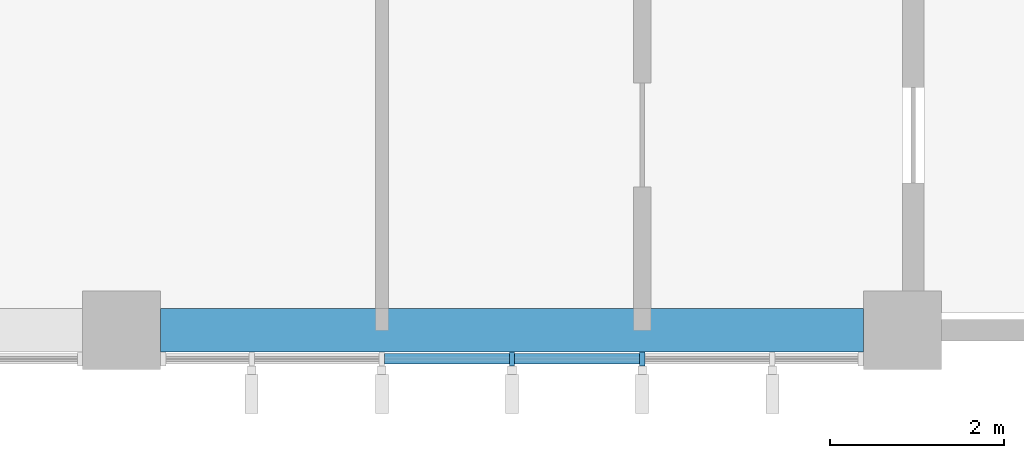
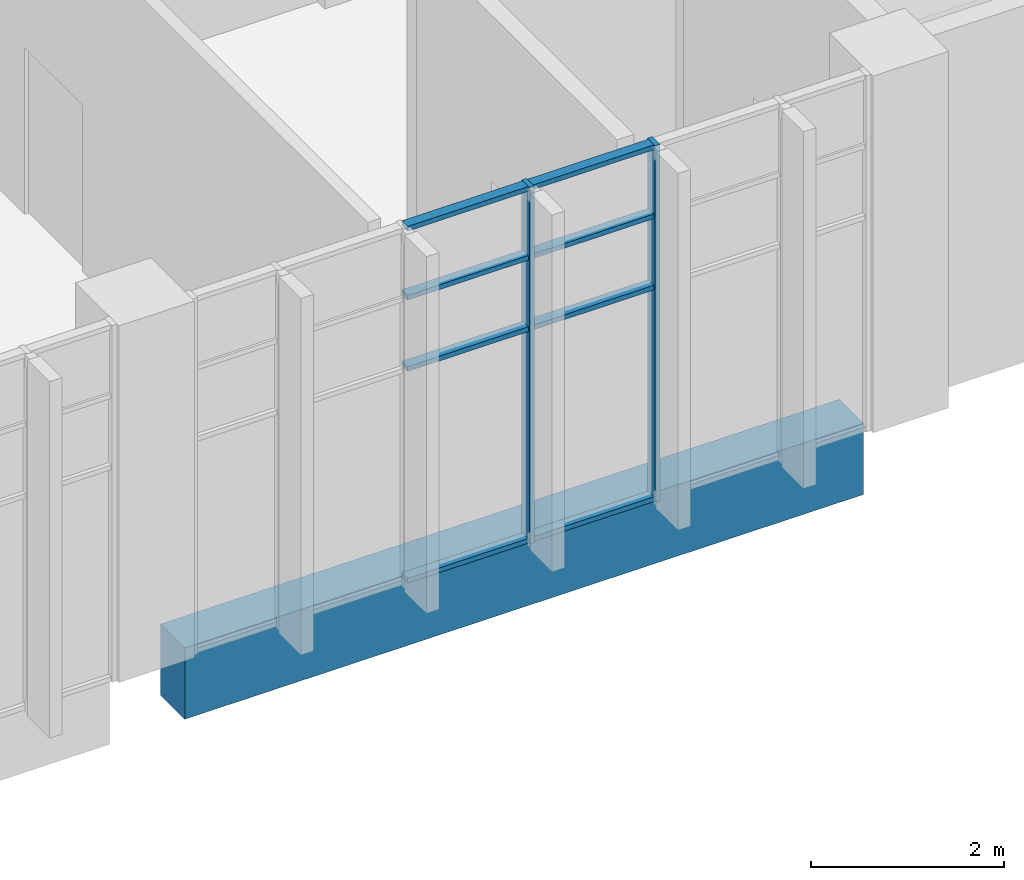
# One storey, part 11 of 45: 10 members, 1 beam, 1 element without a shape of its own.
"""IFC4 building model written with IfcOpenShell, lengths in metres."""

from ifc_helpers import new_model, si_unit, direction, frame, origin, origin_2d, place, context, subcontext, project, spatial, rectangle, extrude, material, layer, layer_set, material_profile, profile_set, type_object, element, aggregate, save


model = new_model("IFC4")

# Units and contexts
model_context = context("Model", 3, precision=1e-05, world=origin(), true_north=direction((0.0, 1.0)))
body_context = subcontext(model_context, "Body", "Model", "MODEL_VIEW")
ifc_project = project(units=[si_unit("LENGTHUNIT", "METRE"), si_unit("AREAUNIT", "SQUARE_METRE"), si_unit("VOLUMEUNIT", "CUBIC_METRE"), si_unit("PLANEANGLEUNIT", "RADIAN"), si_unit("MASSUNIT", "GRAM", prefix="KILO")], contexts=[model_context])

# Site, building, storey
site_placement = place(None, origin())
site = spatial("IfcSite", under=ifc_project, at=site_placement, CompositionType="ELEMENT")
building_placement = place(site_placement, origin())
building = spatial("IfcBuilding", under=site, at=building_placement, Name="Guidao Yard Department Store", CompositionType="ELEMENT")
storey_placement = place(building_placement, frame((0.0, 0.0, 19.5)))
storey = spatial("IfcBuildingStorey", under=building, at=storey_placement, Name="L04", CompositionType="ELEMENT", Elevation=19.5)

# Curtain wall, members
ifc_material_1 = material(Name="Aluminium and glass", Category="aluminium")
ifc_layer = layer(ifc_material_1, 0.159912109375)
ifc_layer_set = layer_set([ifc_layer], Name="Unitised curtain wall CW4 1500 module")
curtain_wall_type = type_object("IfcCurtainWallType", Name="Unitised curtain wall CW4 1500 module", PredefinedType="NOTDEFINED", material=ifc_layer_set)
curtain_wall_placement = place(storey_placement, origin())
curtain_wall = element("IfcCurtainWall", 1, at=curtain_wall_placement, inside=storey, type_object=curtain_wall_type, Name="Unitised curtain wall", PredefinedType="NOTDEFINED")
ifc_material_2 = material(Name="Aluminium 6063-T5", Category="aluminium")
ifc_material_profile_1 = material_profile(ifc_material_2, rectangle(XDim=0.06005859375, YDim=0.159912109375, at=origin_2d()), Name="Mullion M1 60 x 160 aluminium pressure plate")
ifc_profile_set_1 = profile_set([ifc_material_profile_1], Name="Aluminium 6063-T5")
member_type_1 = type_object("IfcMemberType", Name="Mullion M1 60 x 160 aluminium pressure plate", PredefinedType="MULLION", material=ifc_profile_set_1)
member_1_placement = place(storey_placement, frame((157.5, -0.330078125, 0.0), z_axis=(0.0, 0.0, 1.0), x_axis=(-1.0, 0.0, 0.0)))
member_1 = element("IfcMember", 2, at=member_1_placement, type_object=member_type_1, Name="CW-OW-L04-04 mullion 4", PredefinedType="MULLION", context=body_context, shape_type="SweptSolid", body=[
    extrude(rectangle(XDim=0.06005859375, YDim=0.159912109375, at=origin_2d()), origin(), (0.0, 0.0, 1.0), 4.5),
])
member_2_placement = place(storey_placement, frame((159.0, -0.330078125, 0.0), z_axis=(0.0, 0.0, 1.0), x_axis=(-1.0, 0.0, 0.0)))
member_2 = element("IfcMember", 3, at=member_2_placement, type_object=member_type_1, Name="CW-OW-L04-04 mullion 5", PredefinedType="MULLION", context=body_context, shape_type="SweptSolid", body=[
    extrude(rectangle(XDim=0.06005859375, YDim=0.159912109375, at=origin_2d()), origin(), (0.0, 0.0, 1.0), 4.5),
])

# Beam
ifc_material_3 = material(Name="Concrete C40", Category="concrete")
ifc_material_profile_2 = material_profile(ifc_material_3, rectangle(XDim=0.5, YDim=0.89990234375, at=origin_2d()), Name="Spandrel beam 500 x 900 C40")
ifc_profile_set_2 = profile_set([ifc_material_profile_2], Name="Concrete C40")
beam_type = type_object("IfcBeamType", Name="Spandrel beam 500 x 900 C40", PredefinedType="SPANDREL", material=ifc_profile_set_2)
beam_placement = place(storey_placement, frame((153.449951171875, 0.0, -0.449951171875), z_axis=(1.0, 0.0, 0.0), x_axis=(0.0, 1.0, 0.0)))
element("IfcBeam", 4, at=beam_placement, inside=storey, type_object=beam_type, Name="Beam FB03", PredefinedType="SPANDREL", context=body_context, shape_type="SweptSolid", body=[
    extrude(rectangle(XDim=0.5, YDim=0.89990234375, at=origin_2d()), origin(), (0.0, 0.0, 1.0), 8.10009765625),
])

# Member
ifc_material_4 = material(Name="Aluminium 6063-T5", Category="aluminium")
ifc_material_profile_3 = material_profile(ifc_material_4, rectangle(XDim=0.1201171875, YDim=0.06005859375, at=origin_2d()), Name="Transom T1 60 x 120 aluminium pressure plate")
ifc_profile_set_3 = profile_set([ifc_material_profile_3], Name="Aluminium 6063-T5")
member_type_2 = type_object("IfcMemberType", Name="Transom T1 60 x 120 aluminium pressure plate", PredefinedType="USERDEFINED", material=ifc_profile_set_3)
member_3_placement = place(storey_placement, frame((157.469970703125, -0.330078125, 0.030029296875), z_axis=(-1.0, 0.0, 0.0), x_axis=(0.0, -1.0, 0.0)))
member_3 = element("IfcMember", 5, at=member_3_placement, type_object=member_type_2, Name="CW-OW-L04-04 transom 3.1", ObjectType="TRANSOM", PredefinedType="USERDEFINED", context=body_context, shape_type="SweptSolid", body=[
    extrude(rectangle(XDim=0.1201171875, YDim=0.06005859375, at=origin_2d()), origin(), (0.0, 0.0, 1.0), 1.43994140625),
])

member_4_placement = place(storey_placement, frame((157.469970703125, -0.330078125, 2.699951171875), z_axis=(-1.0, 0.0, 0.0), x_axis=(0.0, -1.0, 0.0)))
member_4 = element("IfcMember", 6, at=member_4_placement, type_object=member_type_2, Name="CW-OW-L04-04 transom 3.2", ObjectType="TRANSOM", PredefinedType="USERDEFINED", context=body_context, shape_type="SweptSolid", body=[
    extrude(rectangle(XDim=0.1201171875, YDim=0.06005859375, at=origin_2d()), origin(), (0.0, 0.0, 1.0), 1.43994140625),
])

member_5_placement = place(storey_placement, frame((157.469970703125, -0.330078125, 3.60009765625), z_axis=(-1.0, 0.0, 0.0), x_axis=(0.0, -1.0, 0.0)))
member_5 = element("IfcMember", 7, at=member_5_placement, type_object=member_type_2, Name="CW-OW-L04-04 transom 3.3", ObjectType="TRANSOM", PredefinedType="USERDEFINED", context=body_context, shape_type="SweptSolid", body=[
    extrude(rectangle(XDim=0.1201171875, YDim=0.06005859375, at=origin_2d()), origin(), (0.0, 0.0, 1.0), 1.43994140625),
])

member_6_placement = place(storey_placement, frame((157.469970703125, -0.330078125, 4.469970703125), z_axis=(-1.0, 0.0, 0.0), x_axis=(0.0, -1.0, 0.0)))
member_6 = element("IfcMember", 8, at=member_6_placement, type_object=member_type_2, Name="CW-OW-L04-04 transom 3.4", ObjectType="TRANSOM", PredefinedType="USERDEFINED", context=body_context, shape_type="SweptSolid", body=[
    extrude(rectangle(XDim=0.1201171875, YDim=0.06005859375, at=origin_2d()), origin(), (0.0, 0.0, 1.0), 1.43994140625),
])

member_7_placement = place(storey_placement, frame((158.969970703125, -0.330078125, 0.030029296875), z_axis=(-1.0, 0.0, 0.0), x_axis=(0.0, -1.0, 0.0)))
member_7 = element("IfcMember", 9, at=member_7_placement, type_object=member_type_2, Name="CW-OW-L04-04 transom 4.1", ObjectType="TRANSOM", PredefinedType="USERDEFINED", context=body_context, shape_type="SweptSolid", body=[
    extrude(rectangle(XDim=0.1201171875, YDim=0.06005859375, at=origin_2d()), origin(), (0.0, 0.0, 1.0), 1.43994140625),
])

member_8_placement = place(storey_placement, frame((158.969970703125, -0.330078125, 2.699951171875), z_axis=(-1.0, 0.0, 0.0), x_axis=(0.0, -1.0, 0.0)))
member_8 = element("IfcMember", 10, at=member_8_placement, type_object=member_type_2, Name="CW-OW-L04-04 transom 4.2", ObjectType="TRANSOM", PredefinedType="USERDEFINED", context=body_context, shape_type="SweptSolid", body=[
    extrude(rectangle(XDim=0.1201171875, YDim=0.06005859375, at=origin_2d()), origin(), (0.0, 0.0, 1.0), 1.43994140625),
])

member_9_placement = place(storey_placement, frame((158.969970703125, -0.330078125, 3.60009765625), z_axis=(-1.0, 0.0, 0.0), x_axis=(0.0, -1.0, 0.0)))
member_9 = element("IfcMember", 11, at=member_9_placement, type_object=member_type_2, Name="CW-OW-L04-04 transom 4.3", ObjectType="TRANSOM", PredefinedType="USERDEFINED", context=body_context, shape_type="SweptSolid", body=[
    extrude(rectangle(XDim=0.1201171875, YDim=0.06005859375, at=origin_2d()), origin(), (0.0, 0.0, 1.0), 1.43994140625),
])

member_10_placement = place(storey_placement, frame((158.969970703125, -0.330078125, 4.469970703125), z_axis=(-1.0, 0.0, 0.0), x_axis=(0.0, -1.0, 0.0)))
member_10 = element("IfcMember", 12, at=member_10_placement, type_object=member_type_2, Name="CW-OW-L04-04 transom 4.4", ObjectType="TRANSOM", PredefinedType="USERDEFINED", context=body_context, shape_type="SweptSolid", body=[
    extrude(rectangle(XDim=0.1201171875, YDim=0.06005859375, at=origin_2d()), origin(), (0.0, 0.0, 1.0), 1.43994140625),
])

aggregate(curtain_wall, [member_1, member_2, member_3, member_4, member_5, member_6, member_7, member_8, member_9, member_10])

save(model, "model.ifc")
